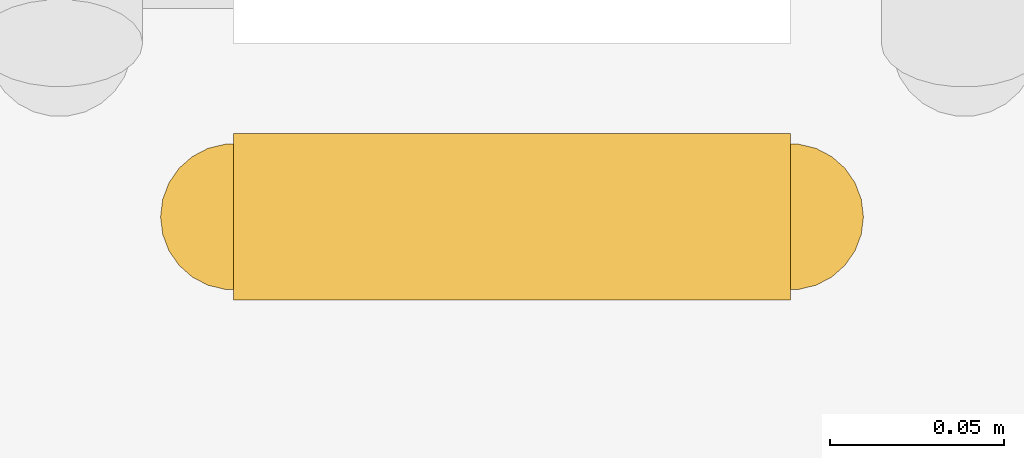
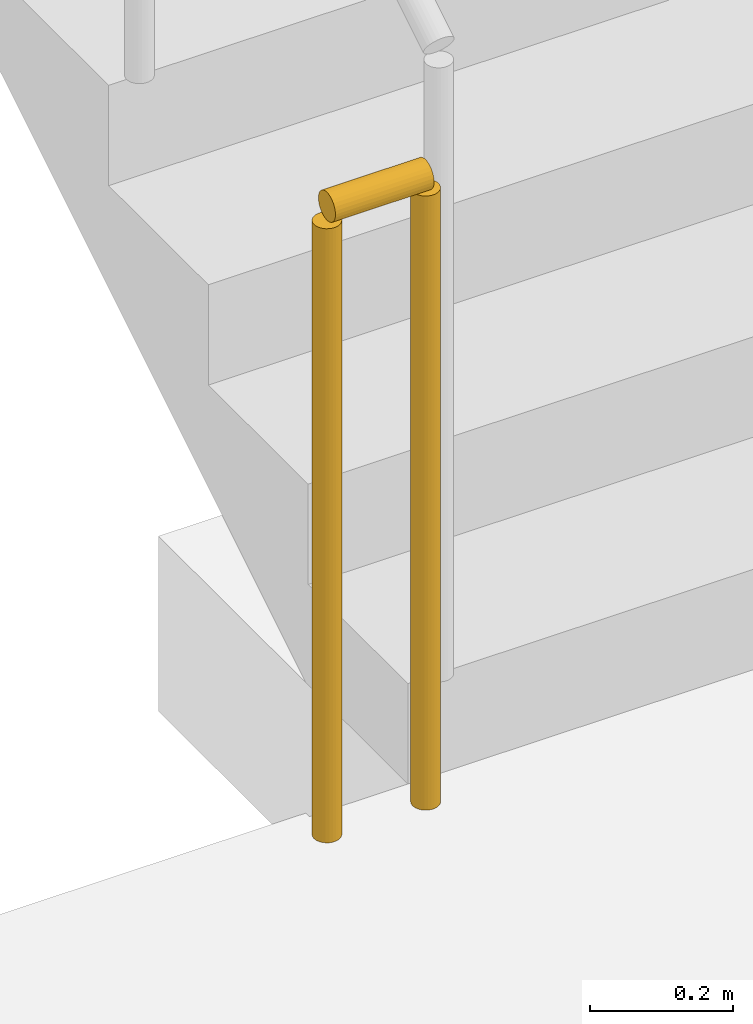
# One storey, part 116 of 132: 1 railing.
"""IFC4 building model written with IfcOpenShell, lengths in metres."""

from ifc_helpers import new_model, si_unit, direction, frame, origin, origin_2d, place, context, subcontext, project, spatial, circle, extrude, material, type_object, element, save


model = new_model("IFC4")

# Units and contexts
model_context = context("Model", 3, precision=1e-05, world=origin(), true_north=direction((0.0, 1.0)))
body_context = subcontext(model_context, "Body", "Model", "MODEL_VIEW")
ifc_project = project(units=[si_unit("LENGTHUNIT", "METRE"), si_unit("AREAUNIT", "SQUARE_METRE"), si_unit("VOLUMEUNIT", "CUBIC_METRE"), si_unit("PLANEANGLEUNIT", "RADIAN"), si_unit("MASSUNIT", "GRAM", prefix="KILO")], contexts=[model_context])

# Site, building, storey
site_placement = place(None, origin())
site = spatial("IfcSite", under=ifc_project, at=site_placement, CompositionType="ELEMENT")
building_placement = place(site_placement, origin())
building = spatial("IfcBuilding", under=site, at=building_placement, Name="Lunette Opera House", CompositionType="ELEMENT")
storey_placement = place(building_placement, frame((0.0, 0.0, 17.0)))
storey = spatial("IfcBuildingStorey", under=building, at=storey_placement, Name="L03", CompositionType="ELEMENT", Elevation=17.0)

# Railing
ifc_material = material(Name="Steel S355", Category="steel")
railing_type = type_object("IfcRailingType", Name="STAIR GUARD 1100", PredefinedType="GUARDRAIL", material=ifc_material)
railing_placement = place(storey_placement, frame((78.679931640625, 86.8701171875, 0.0)))
element("IfcRailing", 1, at=railing_placement, inside=storey, type_object=railing_type, Name="L03 ST10 stair guard 4", PredefinedType="GUARDRAIL", context=body_context, shape_type="SweptSolid", body=[
    extrude(circle(Radius=0.02392578125, at=origin_2d()), frame((0.0, 0.0, 1.076171875), z_axis=(-1.0, 0.0, 0.0), x_axis=(0.0, -1.0, 0.0)), (0.0, 0.0, 1.0), 0.159912109375),
    extrude(circle(Radius=0.02099609375, at=origin_2d()), origin(), (0.0, 0.0, 1.0), 1.052001953125),
    extrude(circle(Radius=0.02099609375, at=origin_2d()), frame((-0.159912109375, 0.0, 0.0)), (0.0, 0.0, 1.0), 1.052001953125),
])

save(model, "model.ifc")
